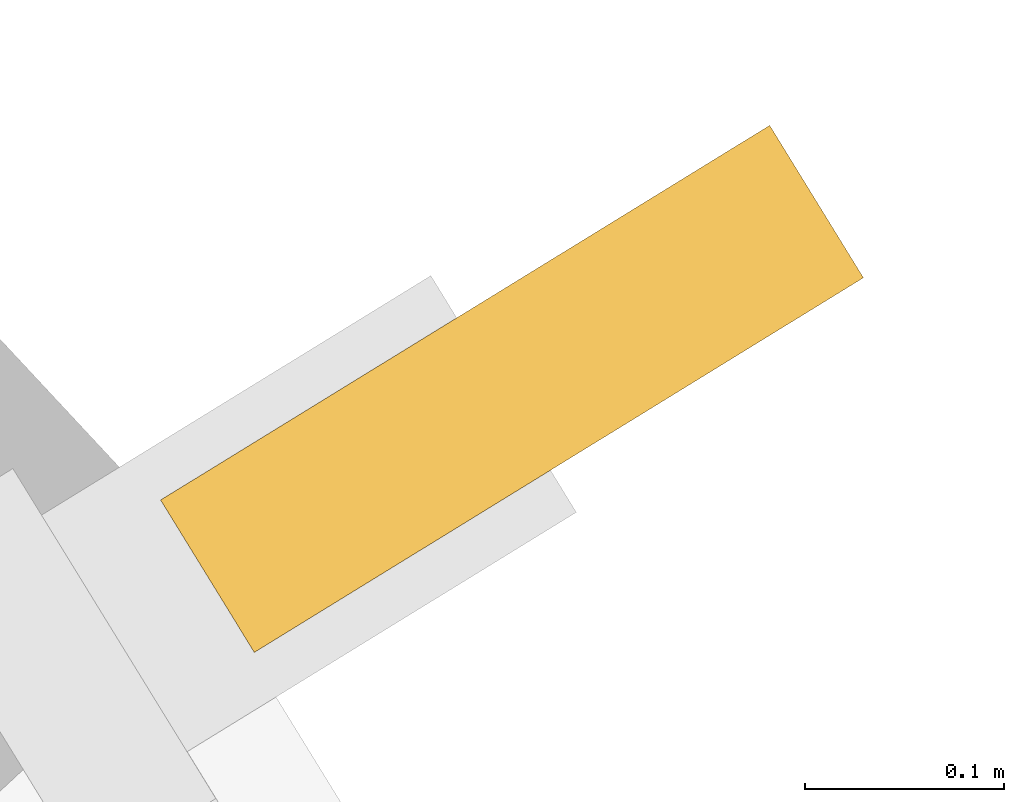
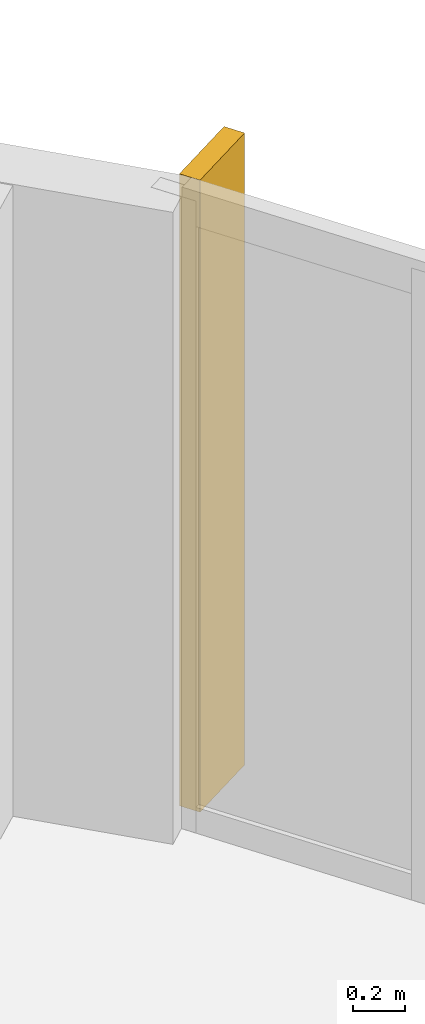
# One storey, part 10 of 10: 1 shading device.
"""IFC4 building model written with IfcOpenShell, lengths in metres."""

from ifc_helpers import new_model, si_unit, direction, frame, origin, origin_2d, place, context, subcontext, project, spatial, rectangle, extrude, material, layer, layer_set, type_object, element, save


model = new_model("IFC4")

# Units and contexts
model_context = context("Model", 3, precision=1e-05, world=origin(), true_north=direction((0.0, 1.0)))
body_context = subcontext(model_context, "Body", "Model", "MODEL_VIEW")
ifc_project = project(units=[si_unit("LENGTHUNIT", "METRE"), si_unit("AREAUNIT", "SQUARE_METRE"), si_unit("VOLUMEUNIT", "CUBIC_METRE"), si_unit("PLANEANGLEUNIT", "RADIAN"), si_unit("MASSUNIT", "GRAM", prefix="KILO")], contexts=[model_context])

# Site, building, storey
site_placement = place(None, origin())
site = spatial("IfcSite", under=ifc_project, at=site_placement, CompositionType="ELEMENT")
building_placement = place(site_placement, origin())
building = spatial("IfcBuilding", under=site, at=building_placement, Name="Veldorim Arch Residences", CompositionType="ELEMENT")
storey_placement = place(building_placement, frame((0.0, 0.0, 201.43994140625)))
storey = spatial("IfcBuildingStorey", under=building, at=storey_placement, Name="L60", CompositionType="ELEMENT", Elevation=201.43994140625)

# Shading device
ifc_material = material(Name="Terracotta Ceramic", Category="masonry")
ifc_layer = layer(ifc_material, 0.090087890625, Name="Vertical Extruded Terracotta Baguette Sun-Shading Fin")
ifc_layer_set = layer_set([ifc_layer], Name="Terracotta Ceramic")
shading_device_type = type_object("IfcShadingDeviceType", Name="Vertical Extruded Terracotta Baguette Sun-Shading Fin", PredefinedType="USERDEFINED", material=ifc_layer_set)
shading_device_placement = place(storey_placement, frame((43.866943359375, 33.875732421875, 0.0), z_axis=(0.0, 0.0, 1.0), x_axis=(0.523837243597, -0.851818373963, 0.0)))
element("IfcShadingDevice", 1, at=shading_device_placement, inside=storey, type_object=shading_device_type, Name="L60 vertical terracotta sun-shading fin 35", ObjectType="FIN", PredefinedType="USERDEFINED", context=body_context, shape_type="SweptSolid", body=[
    extrude(rectangle(XDim=0.090087890625, YDim=0.360107421875, at=origin_2d()), origin(), (0.0, 0.0, 1.0), 2.9599609375),
])

save(model, "model.ifc")
